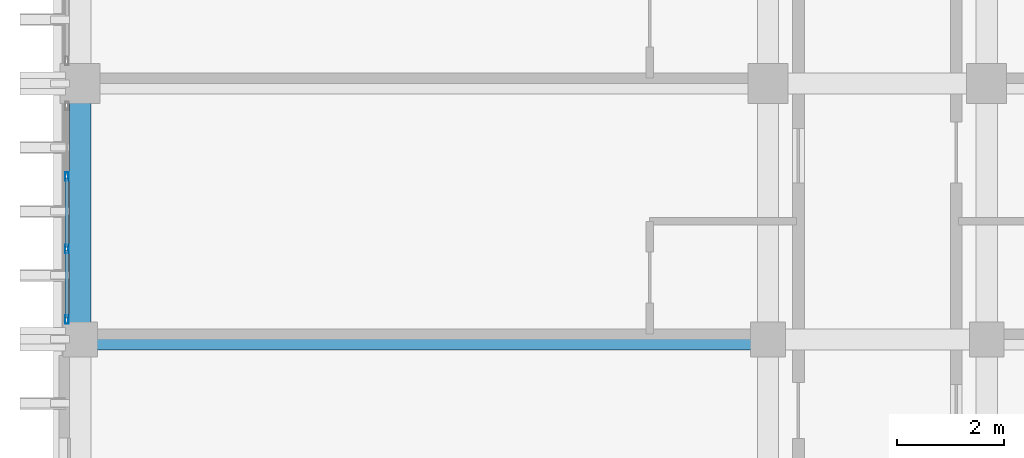
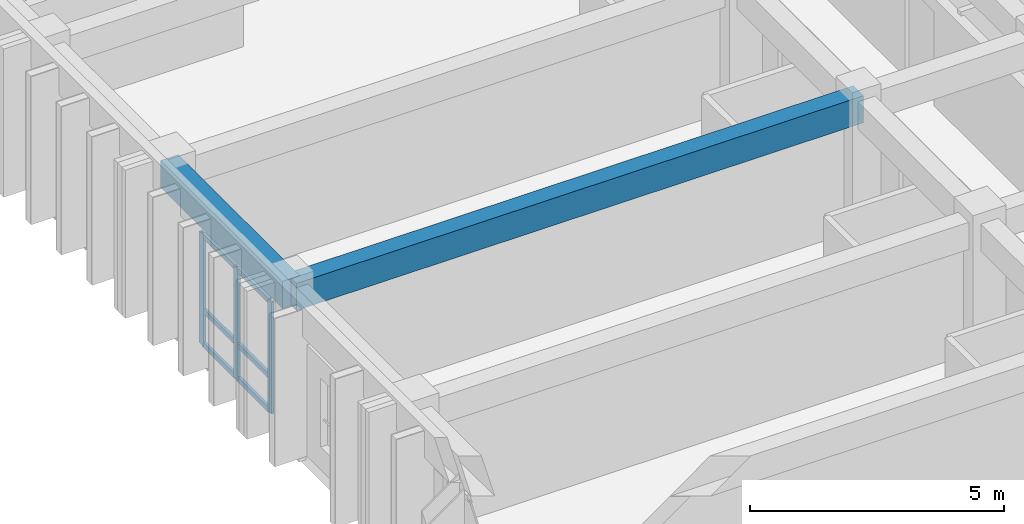
# One storey, part 12 of 64: 9 members, 2 beams, 1 element without a shape of its own.
"""IFC4 building model written with IfcOpenShell, lengths in metres."""

from ifc_helpers import new_model, si_unit, direction, frame, origin, origin_2d, place, context, subcontext, project, spatial, rectangle, hollow_rectangle, extrude, material, layer, layer_set, material_profile, profile_set, type_object, element, aggregate, save


model = new_model("IFC4")

# Units and contexts
model_context = context("Model", 3, precision=1e-05, world=origin(), true_north=direction((0.0, 1.0)))
body_context = subcontext(model_context, "Body", "Model", "MODEL_VIEW")
ifc_project = project(units=[si_unit("LENGTHUNIT", "METRE"), si_unit("AREAUNIT", "SQUARE_METRE"), si_unit("VOLUMEUNIT", "CUBIC_METRE"), si_unit("PLANEANGLEUNIT", "RADIAN"), si_unit("MASSUNIT", "GRAM", prefix="KILO")], contexts=[model_context])

# Site, building, storey
site_placement = place(None, origin())
site = spatial("IfcSite", under=ifc_project, at=site_placement, CompositionType="ELEMENT")
building_placement = place(site_placement, origin())
building = spatial("IfcBuilding", under=site, at=building_placement, Name="Nakhvara Creek Congress Hotel", CompositionType="ELEMENT")
storey_placement = place(building_placement, frame((0.0, 0.0, 28.199951171875)))
storey = spatial("IfcBuildingStorey", under=building, at=storey_placement, Name="L06", CompositionType="ELEMENT", Elevation=28.199951171875)

# Beams
ifc_material_1 = material(Name="Concrete C40/50", Category="concrete")
ifc_material_profile_1 = material_profile(ifc_material_1, rectangle(XDim=0.39990234375, YDim=0.64990234375, at=origin_2d()), Name="RC-BM 400x650", Category="LoadBearing")
ifc_profile_set_1 = profile_set([ifc_material_profile_1], Name="Concrete C40/50")
beam_type = type_object("IfcBeamType", Name="BM-RC-400X650", PredefinedType="BEAM", material=ifc_profile_set_1)
beam_1_placement = place(storey_placement, frame((149.449951171875, 62.39990234375, 3.01513671875), z_axis=(0.0, 1.0, 0.0), x_axis=(-1.0, 0.0, 0.0)))
element("IfcBeam", 1, at=beam_1_placement, inside=storey, type_object=beam_type, Name="Beam B06-L06-2202", PredefinedType="BEAM", context=body_context, shape_type="SweptSolid", body=[
    extrude(rectangle(XDim=0.39990234375, YDim=0.64990234375, at=origin_2d()), origin(), (0.0, 0.0, 1.0), 4.800048828125),
])
beam_2_placement = place(storey_placement, frame((149.449951171875, 62.39990234375, 3.01513671875), z_axis=(1.0, 0.0, 0.0), x_axis=(0.0, 1.0, 0.0)))
element("IfcBeam", 2, at=beam_2_placement, inside=storey, type_object=beam_type, Name="Beam B06-L06-2295", PredefinedType="BEAM", context=body_context, shape_type="SweptSolid", body=[
    extrude(rectangle(XDim=0.39990234375, YDim=0.64990234375, at=origin_2d()), origin(), (0.0, 0.0, 1.0), 12.900146484375),
])

# Curtain wall, members
ifc_material_2 = material(Name="Bronze-anodised aluminium AW-6063-T6 and double-silver low-E glass", Category="aluminium")
ifc_layer = layer(ifc_material_2, 0.199951171875)
ifc_layer_set = layer_set([ifc_layer], Name="Bronze-anodised aluminium AW-6063-T6 and double-silver low-E glass")
curtain_wall_type = type_object("IfcCurtainWallType", Name="CW-HTL-UNIT", PredefinedType="USERDEFINED", material=ifc_layer_set)
curtain_wall_placement = place(storey_placement, origin())
curtain_wall = element("IfcCurtainWall", 3, at=curtain_wall_placement, inside=storey, type_object=curtain_wall_type, Name="Curtain Wall CW236", ObjectType="UNITISED", PredefinedType="USERDEFINED")
ifc_material_3 = material(Name="Bronze-anodised aluminium AW-6063-T6", Category="aluminium")
ifc_material_profile_2 = material_profile(ifc_material_3, hollow_rectangle(XDim=0.06494140625, YDim=0.159912109375, WallThickness=0.00390625, at=origin_2d()), Name="ALU-MULL 65x160x4", Category="LoadBearing")
ifc_profile_set_2 = profile_set([ifc_material_profile_2], Name="Bronze-anodised aluminium AW-6063-T6")
member_type_1 = type_object("IfcMemberType", Name="CW-MULL-160", PredefinedType="MULLION", material=ifc_profile_set_2)
member_1_placement = place(storey_placement, frame((149.199951171875, 62.7724609375, 0.0), z_axis=(0.0, 0.0, 1.0), x_axis=(-1.0, 0.0, 0.0)))
member_1 = element("IfcMember", 4, at=member_1_placement, type_object=member_type_1, Name="CW236 mullion 1", PredefinedType="MULLION", context=body_context, shape_type="SweptSolid", body=[
    extrude(hollow_rectangle(XDim=0.06494140625, YDim=0.159912109375, WallThickness=0.00390625, at=origin_2d()), origin(), (0.0, 0.0, 1.0), 2.68212890625),
])
member_2_placement = place(storey_placement, frame((149.199951171875, 64.0966796875, 0.0), z_axis=(0.0, 0.0, 1.0), x_axis=(-1.0, 0.0, 0.0)))
member_2 = element("IfcMember", 5, at=member_2_placement, type_object=member_type_1, Name="CW236 mullion 2", PredefinedType="MULLION", context=body_context, shape_type="SweptSolid", body=[
    extrude(hollow_rectangle(XDim=0.06494140625, YDim=0.159912109375, WallThickness=0.00390625, at=origin_2d()), origin(), (0.0, 0.0, 1.0), 2.68212890625),
])
member_3_placement = place(storey_placement, frame((149.199951171875, 65.453369140625, 0.0), z_axis=(0.0, 0.0, 1.0), x_axis=(-1.0, 0.0, 0.0)))
member_3 = element("IfcMember", 6, at=member_3_placement, type_object=member_type_1, Name="CW236 mullion 3", PredefinedType="MULLION", context=body_context, shape_type="SweptSolid", body=[
    extrude(hollow_rectangle(XDim=0.06494140625, YDim=0.159912109375, WallThickness=0.00390625, at=origin_2d()), origin(), (0.0, 0.0, 1.0), 2.68212890625),
])
ifc_material_profile_3 = material_profile(ifc_material_3, hollow_rectangle(XDim=0.06494140625, YDim=0.1201171875, WallThickness=0.00390625, at=origin_2d()), Name="ALU-TRAN 65x120x4", Category="LoadBearing")
ifc_profile_set_3 = profile_set([ifc_material_profile_3], Name="Bronze-anodised aluminium AW-6063-T6")
member_type_2 = type_object("IfcMemberType", Name="CW-TRAN-120", PredefinedType="USERDEFINED", material=ifc_profile_set_3)
member_4_placement = place(storey_placement, frame((149.199951171875, 62.804931640625, 0.032470703125), z_axis=(0.0, 1.0, 0.0), x_axis=(-1.0, 0.0, 0.0)))
member_4 = element("IfcMember", 7, at=member_4_placement, type_object=member_type_2, Name="CW236 transom 1.1", ObjectType="TRANSOM", PredefinedType="USERDEFINED", context=body_context, shape_type="SweptSolid", body=[
    extrude(hollow_rectangle(XDim=0.06494140625, YDim=0.1201171875, WallThickness=0.00390625, at=origin_2d()), origin(), (0.0, 0.0, 1.0), 1.25927734375),
])
member_5_placement = place(storey_placement, frame((149.199951171875, 62.804931640625, 0.85009765625), z_axis=(0.0, 1.0, 0.0), x_axis=(-1.0, 0.0, 0.0)))
member_5 = element("IfcMember", 8, at=member_5_placement, type_object=member_type_2, Name="CW236 transom 1.2", ObjectType="TRANSOM", PredefinedType="USERDEFINED", context=body_context, shape_type="SweptSolid", body=[
    extrude(hollow_rectangle(XDim=0.06494140625, YDim=0.1201171875, WallThickness=0.00390625, at=origin_2d()), origin(), (0.0, 0.0, 1.0), 1.25927734375),
])
member_6_placement = place(storey_placement, frame((149.199951171875, 62.804931640625, 2.649658203125), z_axis=(0.0, 1.0, 0.0), x_axis=(-1.0, 0.0, 0.0)))
member_6 = element("IfcMember", 9, at=member_6_placement, type_object=member_type_2, Name="CW236 transom 1.3", ObjectType="TRANSOM", PredefinedType="USERDEFINED", context=body_context, shape_type="SweptSolid", body=[
    extrude(hollow_rectangle(XDim=0.06494140625, YDim=0.1201171875, WallThickness=0.00390625, at=origin_2d()), origin(), (0.0, 0.0, 1.0), 1.25927734375),
])
member_7_placement = place(storey_placement, frame((149.199951171875, 64.129150390625, 0.032470703125), z_axis=(0.0, 1.0, 0.0), x_axis=(-1.0, 0.0, 0.0)))
member_7 = element("IfcMember", 10, at=member_7_placement, type_object=member_type_2, Name="CW236 transom 2.1", ObjectType="TRANSOM", PredefinedType="USERDEFINED", context=body_context, shape_type="SweptSolid", body=[
    extrude(hollow_rectangle(XDim=0.06494140625, YDim=0.1201171875, WallThickness=0.00390625, at=origin_2d()), origin(), (0.0, 0.0, 1.0), 1.291748046875),
])
member_8_placement = place(storey_placement, frame((149.199951171875, 64.129150390625, 0.85009765625), z_axis=(0.0, 1.0, 0.0), x_axis=(-1.0, 0.0, 0.0)))
member_8 = element("IfcMember", 11, at=member_8_placement, type_object=member_type_2, Name="CW236 transom 2.2", ObjectType="TRANSOM", PredefinedType="USERDEFINED", context=body_context, shape_type="SweptSolid", body=[
    extrude(hollow_rectangle(XDim=0.06494140625, YDim=0.1201171875, WallThickness=0.00390625, at=origin_2d()), origin(), (0.0, 0.0, 1.0), 1.291748046875),
])
member_9_placement = place(storey_placement, frame((149.199951171875, 64.129150390625, 2.649658203125), z_axis=(0.0, 1.0, 0.0), x_axis=(-1.0, 0.0, 0.0)))
member_9 = element("IfcMember", 12, at=member_9_placement, type_object=member_type_2, Name="CW236 transom 2.3", ObjectType="TRANSOM", PredefinedType="USERDEFINED", context=body_context, shape_type="SweptSolid", body=[
    extrude(hollow_rectangle(XDim=0.06494140625, YDim=0.1201171875, WallThickness=0.00390625, at=origin_2d()), origin(), (0.0, 0.0, 1.0), 1.291748046875),
])
aggregate(curtain_wall, [member_1, member_2, member_3, member_4, member_5, member_6, member_7, member_8, member_9])

save(model, "model.ifc")
